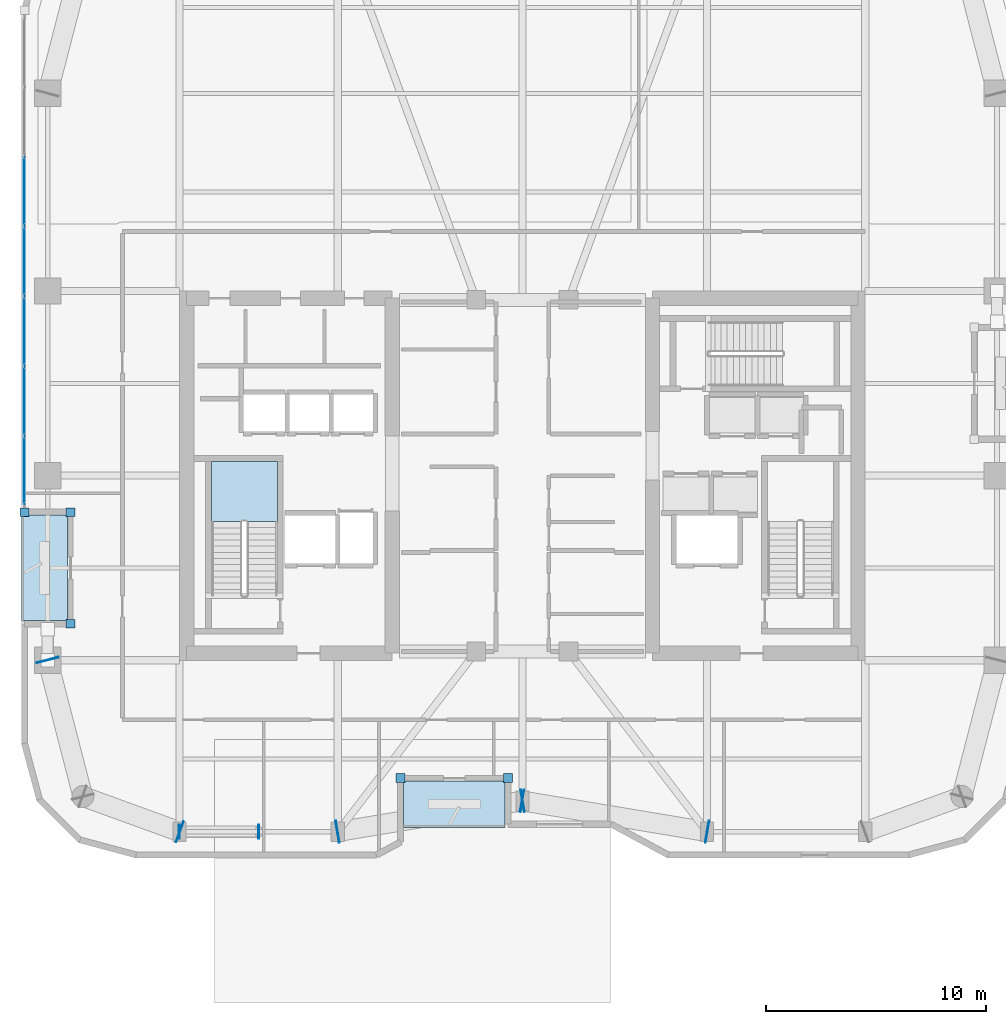
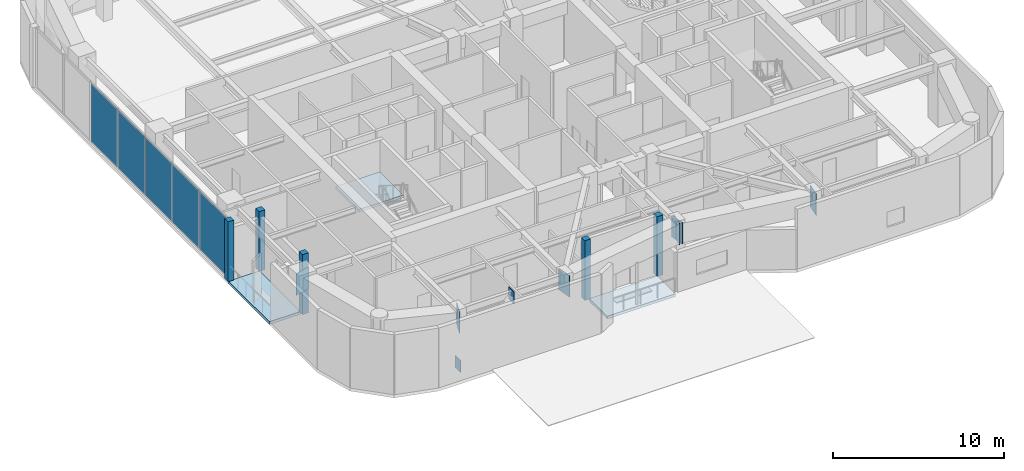
# One storey, part 8 of 18: 18 plates, 3 slabs, 2 elements without a shape of their own.
"""IFC4 building model written with IfcOpenShell, lengths in metres."""

import ifcopenshell
import ifcopenshell.guid

model = None  # the IFC model being written
_history = None  # IfcOwnerHistory: only IFC2X3 demands one
_inside = {}  # id of a spatial element -> (the spatial element, [elements in it])
_under = {}  # id of a project, library or spatial element -> (it, [spatial elements below it])
_declared = {}  # id of a project -> (the project, [libraries it declares])
_typed = {}  # id of a type object -> (the type object, [elements of that type])
_made_of = {}  # id of a material, layer set ... -> (it, [elements and type objects made of it])


def new_model(schema):
    """Start an empty IFC model of exactly this schema.

    Asked for "IFC4X3", IfcOpenShell would pick the latest addendum, in which some entities
    have other attributes; the version numbers below select the first issue.
    IFC2X3 requires an IfcOwnerHistory on every rooted entity: one is made here for all.
    """
    global model, _history
    if schema == "IFC4X3":
        model = ifcopenshell.file(schema_version=(4, 3, 0, 0))
    else:
        model = ifcopenshell.file(schema=schema)
    _inside.clear()
    _under.clear()
    _declared.clear()
    _typed.clear()
    _made_of.clear()
    _history = None
    if model.schema == "IFC2X3":
        org = make("IfcOrganization", Name="unknown")
        user = make(
            "IfcPersonAndOrganization",
            ThePerson=make("IfcPerson", FamilyName="unknown"),
            TheOrganization=org,
        )
        app = make(
            "IfcApplication",
            ApplicationDeveloper=org,
            Version="unknown",
            ApplicationFullName="unknown",
            ApplicationIdentifier="unknown",
        )
        _history = make(
            "IfcOwnerHistory",
            OwningUser=user,
            OwningApplication=app,
            ChangeAction="ADDED",
            CreationDate=0,
        )
    return model


def make(cls, **values):
    """One entity of the class cls with the attributes given. An attribute that is None is left unset."""
    return model.create_entity(
        cls, **{name: value for name, value in values.items() if value is not None}
    )


def rooted(cls, **values):
    """An entity with a GlobalId (a new one), such as an element, a storey or a relation."""
    return make(cls, GlobalId=ifcopenshell.guid.new(), OwnerHistory=_history, **values)


def si_unit(unit_type, name, prefix=None):
    """IfcSIUnit, for example si_unit("LENGTHUNIT", "METRE", prefix="MILLI")."""
    return make("IfcSIUnit", UnitType=unit_type, Prefix=prefix, Name=name)


def assignment(units):
    """IfcUnitAssignment: the units of a project."""
    return None if units is None else make("IfcUnitAssignment", Units=units)


def point(xyz):
    """IfcCartesianPoint."""
    return None if xyz is None else make("IfcCartesianPoint", Coordinates=xyz)


def direction(xyz):
    """IfcDirection."""
    return None if xyz is None else make("IfcDirection", DirectionRatios=xyz)


def frame(location, z_axis=None, x_axis=None):
    """IfcAxis2Placement3D, a coordinate frame: its origin and axes. An axis left out is left unset."""
    return make(
        "IfcAxis2Placement3D",
        Location=point(location),
        Axis=direction(z_axis),
        RefDirection=direction(x_axis),
    )


def frame_2d(location, x_axis=None):
    """IfcAxis2Placement2D, a coordinate frame in the plane: its origin and x axis."""
    return make(
        "IfcAxis2Placement2D", Location=point(location), RefDirection=direction(x_axis)
    )


def origin():
    """The frame at (0, 0, 0) with its axes left unset."""
    return frame((0.0, 0.0, 0.0))


def origin_2d():
    """The frame at (0, 0) in the plane with its x axis left unset."""
    return frame_2d((0.0, 0.0))


def place(relative_to, where):
    """IfcLocalPlacement: puts the frame where relative to a parent placement (None: the world)."""
    return make(
        "IfcLocalPlacement", PlacementRelTo=relative_to, RelativePlacement=where
    )


def context(
    kind, dimensions, precision=None, world=None, true_north=None, identifier=None
):
    """IfcGeometricRepresentationContext, for example the 3D "Model" context."""
    return make(
        "IfcGeometricRepresentationContext",
        ContextIdentifier=identifier,
        ContextType=kind,
        CoordinateSpaceDimension=dimensions,
        Precision=precision,
        WorldCoordinateSystem=world,
        TrueNorth=true_north,
    )


def subcontext(parent, identifier, kind, view, scale=None):
    """IfcGeometricRepresentationSubContext, for example "Body" below "Model"."""
    return make(
        "IfcGeometricRepresentationSubContext",
        ContextIdentifier=identifier,
        ContextType=kind,
        ParentContext=parent,
        TargetScale=scale,
        TargetView=view,
    )


def project(units=None, contexts=None):
    """IfcProject with its units and contexts."""
    return rooted(
        "IfcProject",
        Name="project",
        RepresentationContexts=contexts,
        UnitsInContext=assignment(units),
    )


def spatial(cls, under=None, at=None, **own):
    """A site, building, storey or space (cls), placed at a placement, below another one or the project."""
    s = rooted(cls, ObjectPlacement=at, **own)
    if under is not None:
        _under.setdefault(under.id(), (under, []))[1].append(s)
    return s


def polyline(points):
    """IfcPolyline through the points."""
    return make("IfcPolyline", Points=[point(p) for p in points])


def profile(cls, at=None, kind="AREA", **sizes):
    """A parametric profile (cls). Its sizes go by their IFC names, for example OverallWidth=200.0."""
    return make(cls, ProfileType=kind, Position=at, **sizes)


def rectangle(**sizes):
    """IfcRectangleProfileDef."""
    return profile("IfcRectangleProfileDef", **sizes)


def outline(outer, holes=None, kind="AREA"):
    """IfcArbitraryClosedProfileDef: a profile drawn as a closed curve; with holes, ...WithVoids."""
    if holes is None:
        return make("IfcArbitraryClosedProfileDef", ProfileType=kind, OuterCurve=outer)
    return make(
        "IfcArbitraryProfileDefWithVoids",
        ProfileType=kind,
        OuterCurve=outer,
        InnerCurves=holes,
    )


def extrude(swept, where, along, depth):
    """IfcExtrudedAreaSolid: the profile swept, set in the frame where, extruded along a direction by depth."""
    return make(
        "IfcExtrudedAreaSolid",
        SweptArea=swept,
        Position=where,
        ExtrudedDirection=direction(along),
        Depth=depth,
    )


def shape(context_of_items, identifier, shape_type, items):
    """IfcShapeRepresentation: the items that make up one representation, for example the "Body"."""
    return make(
        "IfcShapeRepresentation",
        ContextOfItems=context_of_items,
        RepresentationIdentifier=identifier,
        RepresentationType=shape_type,
        Items=items,
    )


def material(Name=None, Category=None):
    """IfcMaterial."""
    return make("IfcMaterial", Name=Name, Category=Category)


def layer(
    of_material, thickness, ventilated=None, Name=None, Category=None, Priority=None
):
    """IfcMaterialLayer: one layer of a wall or slab, of a material (None: an air gap)."""
    return make(
        "IfcMaterialLayer",
        Material=of_material,
        LayerThickness=thickness,
        IsVentilated=ventilated,
        Name=Name,
        Category=Category,
        Priority=Priority,
    )


def layer_set(layers, Name=None):
    """IfcMaterialLayerSet."""
    return make("IfcMaterialLayerSet", MaterialLayers=layers, LayerSetName=Name)


def made_of(thing, what):
    """Note that an element or type object is made of a material, layer set ...; save() writes the relation."""
    if what is not None:
        _made_of.setdefault(what.id(), (what, []))[1].append(thing)
    return thing


def type_object(cls, material=None, **own):
    """A type object (cls), such as IfcWallType, which elements share."""
    return made_of(rooted(cls, **own), material)


def element(
    cls,
    number,
    at=None,
    inside=None,
    cuts=None,
    type_object=None,
    material=None,
    context=None,
    identifier="Body",
    shape_type=None,
    held_by="IfcProductDefinitionShape",
    body=None,
    shapes=None,
    **own,
):
    """One element of the class cls, such as IfcWall. Its Tag is "e" and its number.

    at: its placement. inside: the storey or other place that contains it. cuts: it is an
    opening in that element (IfcRelVoidsElement). A single representation is given by context,
    identifier, shape_type and body (its items); several are given by shapes. held_by: the class
    of the entity that holds the representations. save() writes the other relations.
    """
    e = rooted(cls, Tag="e%d" % number, ObjectPlacement=at, **own)
    if body is not None:
        shapes = [shape(context, identifier, shape_type, body)]
    if shapes is not None:
        e.Representation = make(held_by, Representations=shapes)
    if inside is not None:
        _inside.setdefault(inside.id(), (inside, []))[1].append(e)
    if cuts is not None:
        rooted(
            "IfcRelVoidsElement", RelatingBuildingElement=cuts, RelatedOpeningElement=e
        )
    if type_object is not None:
        _typed.setdefault(type_object.id(), (type_object, []))[1].append(e)
    return made_of(e, material)


def aggregate(whole, parts):
    """IfcRelAggregates: a whole, such as a stair, and the parts it consists of."""
    return rooted("IfcRelAggregates", RelatingObject=whole, RelatedObjects=parts)


def save(model, path):
    """Write the relations noted so far, then the file.

    IfcRelAggregates (storeys below a building ...), IfcRelContainedInSpatialStructure (elements
    in a storey), IfcRelDefinesByType, IfcRelAssociatesMaterial and IfcRelDeclares: one each for
    every whole, place, type object, material and project.
    """
    for whole, parts in _under.values():
        aggregate(whole, parts)
    for where, things in _inside.values():
        rooted(
            "IfcRelContainedInSpatialStructure",
            RelatedElements=things,
            RelatingStructure=where,
        )
    for kind, things in _typed.values():
        rooted("IfcRelDefinesByType", RelatedObjects=things, RelatingType=kind)
    for what, things in _made_of.values():
        rooted("IfcRelAssociatesMaterial", RelatedObjects=things, RelatingMaterial=what)
    for by, libraries in _declared.values():
        rooted("IfcRelDeclares", RelatingContext=by, RelatedDefinitions=libraries)
    model.write(path)


model = new_model("IFC4")

# Units and contexts
model_context = context("Model", 3, precision=1e-05, world=origin(), true_north=direction((0.0, 1.0)))
body_context = subcontext(model_context, "Body", "Model", "MODEL_VIEW")
ifc_project = project(units=[si_unit("LENGTHUNIT", "METRE"), si_unit("AREAUNIT", "SQUARE_METRE"), si_unit("VOLUMEUNIT", "CUBIC_METRE"), si_unit("PLANEANGLEUNIT", "RADIAN"), si_unit("MASSUNIT", "GRAM", prefix="KILO")], contexts=[model_context])

# Site, building, storey
site_placement = place(None, origin())
site = spatial("IfcSite", under=ifc_project, at=site_placement, CompositionType="ELEMENT")
building_placement = place(site_placement, origin())
building = spatial("IfcBuilding", under=site, at=building_placement, Name="Kiyonajd Concourse Tower", CompositionType="ELEMENT")
storey_placement = place(building_placement, frame((0.0, 0.0, 214.800048828125)))
storey = spatial("IfcBuildingStorey", under=building, at=storey_placement, Name="L54", CompositionType="ELEMENT", Elevation=214.800048828125)

# Plates
ifc_material_1 = material(Name="Steel ASTM A572 Grade 50", Category="steel")
ifc_layer_1 = layer(ifc_material_1, 0.028076171875)
ifc_layer_set_1 = layer_set([ifc_layer_1], Name="Steel ASTM A572 Grade 50")
plate_type_1 = type_object("IfcPlateType", Name="PL-CAP-450", PredefinedType="USERDEFINED", material=ifc_layer_set_1)
for number, where, z_axis, x_axis, name in (
    (1, (32.392333984375, 19.800048828125, -0.13818359375), (0.0, 0.0, 1.0), (-1.0, 0.0, 0.0), "L54 Hollow Brace End Cap Plate PBS"),
    (2, (36.0078125, 19.800048828125, 3.50732421875), (0.0, 0.0, 1.0), (1.0, 0.0, 0.0), "L54 Hollow Brace Top Cap Plate PBS"),
):
    element("IfcPlate", number, at=place(storey_placement, frame(where, z_axis=z_axis, x_axis=x_axis)), inside=storey, type_object=plate_type_1, Name=name, ObjectType="CAP PLATE", PredefinedType="USERDEFINED", context=body_context, shape_type="SweptSolid", body=[
        extrude(rectangle(XDim=0.035888671875, YDim=0.6279296875, at=origin_2d()), origin(), (0.0, 0.0, 1.0), 0.861083984375),
    ])
ifc_layer_2 = layer(ifc_material_1, 0.031982421875)
ifc_layer_set_2 = layer_set([ifc_layer_2], Name="Steel ASTM A572 Grade 50")
plate_type_2 = type_object("IfcPlateType", Name="PL-CAP-540", PredefinedType="USERDEFINED", material=ifc_layer_set_2)
for number, where, z_axis, x_axis, name in (
    (3, (26.397216796875, 27.610595703125, 2.809814453125), (0.0, 0.0, 1.0), (-0.249873048837, 0.968278606324, 0.0), "L54 Welded Box Girder End Cap"),
    (4, (32.410400390625, 19.796142578125, 2.809814453125), (0.0, 0.0, 1.0), (0.939811951086, -0.341692107891, 0.0), "L54 Welded Box Girder End Cap"),
    (5, (39.589111328125, 19.798095703125, 2.809814453125), (0.0, 0.0, 1.0), (-0.986400586142, -0.164359008451, 0.0), "L54 Welded Box Girder End Cap"),
    (6, (48.010986328125, 21.201904296875, 2.809814453125), (0.0, 0.0, 1.0), (0.986400586142, 0.164359008451, 0.0), "L54 Welded Box Girder End Cap"),
    (7, (47.989013671875, 21.201904296875, 2.809814453125), (0.0, 0.0, 1.0), (-0.986400586142, 0.164359008451, 0.0), "L54 Welded Box Girder End Cap"),
    (8, (56.410888671875, 19.798095703125, 2.809814453125), (0.0, 0.0, 1.0), (0.986400586142, -0.164359008451, 0.0), "L54 Welded Box Girder End Cap"),
):
    element("IfcPlate", number, at=place(storey_placement, frame(where, z_axis=z_axis, x_axis=x_axis)), inside=storey, type_object=plate_type_2, Name=name, ObjectType="CAP PLATE", PredefinedType="USERDEFINED", context=body_context, shape_type="SweptSolid", body=[
        extrude(rectangle(XDim=0.035888671875, YDim=1.02001953125, at=origin_2d()), origin(), (0.0, 0.0, 1.0), 1.5400390625),
    ])

# Curtain wall, plates
ifc_material_2 = material(Name="Thermally Broken Anodised Aluminium", Category="aluminium")
ifc_layer_3 = layer(ifc_material_2, 0.179931640625)
ifc_layer_set_3 = layer_set([ifc_layer_3], Name="Thermally Broken Anodised Aluminium")
curtain_wall_type = type_object("IfcCurtainWallType", Name="CW-SYS-05", PredefinedType="NOTDEFINED", material=ifc_layer_set_3)
curtain_wall_placement = place(storey_placement, origin())
curtain_wall = element("IfcCurtainWall", 9, at=curtain_wall_placement, inside=storey, type_object=curtain_wall_type, Name="L54 Unitised Curtain Wall CW5", PredefinedType="NOTDEFINED")
ifc_material_3 = material(Name="Double Low-E Insulated Glass", Category="glass")
ifc_layer_4 = layer(ifc_material_3, 0.0400390625)
ifc_layer_set_4 = layer_set([ifc_layer_4], Name="Double Low-E Insulated Glass")
plate_type_3 = type_object("IfcPlateType", Name="PL-CW-VIS40", PredefinedType="CURTAIN_PANEL", material=ifc_layer_set_4)
plate_1_placement = place(storey_placement, frame((25.340087890625, 36.23876953125, 0.074951171875), z_axis=(0.0, 0.0, 1.0), x_axis=(0.0, 1.0, 0.0)))
plate_1 = element("IfcPlate", 10, at=plate_1_placement, type_object=plate_type_3, Name="CW5 panel 1.1", PredefinedType="CURTAIN_PANEL", context=body_context, shape_type="SweptSolid", body=[
    extrude(rectangle(XDim=3.067626953125, YDim=0.0400390625, at=origin_2d()), origin(), (0.0, 0.0, 1.0), 4.1298828125),
])
plate_2_placement = place(storey_placement, frame((25.340087890625, 39.400390625, 0.074951171875), z_axis=(0.0, 0.0, 1.0), x_axis=(0.0, 1.0, 0.0)))
plate_2 = element("IfcPlate", 11, at=plate_2_placement, type_object=plate_type_3, Name="CW5 panel 2.1", PredefinedType="CURTAIN_PANEL", context=body_context, shape_type="SweptSolid", body=[
    extrude(rectangle(XDim=3.105224609375, YDim=0.0400390625, at=origin_2d()), origin(), (0.0, 0.0, 1.0), 4.1298828125),
])
plate_3_placement = place(storey_placement, frame((25.340087890625, 42.58056640625, 0.074951171875), z_axis=(0.0, 0.0, 1.0), x_axis=(0.0, 1.0, 0.0)))
plate_3 = element("IfcPlate", 12, at=plate_3_placement, type_object=plate_type_3, Name="CW5 panel 3.1", PredefinedType="CURTAIN_PANEL", context=body_context, shape_type="SweptSolid", body=[
    extrude(rectangle(XDim=3.105224609375, YDim=0.0400390625, at=origin_2d()), origin(), (0.0, 0.0, 1.0), 4.1298828125),
])
plate_4_placement = place(storey_placement, frame((25.340087890625, 45.7607421875, 0.074951171875), z_axis=(0.0, 0.0, 1.0), x_axis=(0.0, 1.0, 0.0)))
plate_4 = element("IfcPlate", 13, at=plate_4_placement, type_object=plate_type_3, Name="CW5 panel 4.1", PredefinedType="CURTAIN_PANEL", context=body_context, shape_type="SweptSolid", body=[
    extrude(rectangle(XDim=3.105224609375, YDim=0.0400390625, at=origin_2d()), origin(), (0.0, 0.0, 1.0), 4.1298828125),
])
plate_5_placement = place(storey_placement, frame((25.340087890625, 48.94091796875, 0.074951171875), z_axis=(0.0, 0.0, 1.0), x_axis=(0.0, 1.0, 0.0)))
plate_5 = element("IfcPlate", 14, at=plate_5_placement, type_object=plate_type_3, Name="CW5 panel 5.1", PredefinedType="CURTAIN_PANEL", context=body_context, shape_type="SweptSolid", body=[
    extrude(rectangle(XDim=3.105224609375, YDim=0.0400390625, at=origin_2d()), origin(), (0.0, 0.0, 1.0), 4.1298828125),
])
aggregate(curtain_wall, [plate_1, plate_2, plate_3, plate_4, plate_5])

# Plates
ifc_layer_5 = layer(ifc_material_2, 0.39990234375)
ifc_layer_set_5 = layer_set([ifc_layer_5], Name="Thermally Broken Anodised Aluminium")
plate_type_4 = type_object("IfcPlateType", Name="PL-JMB-400", PredefinedType="USERDEFINED", material=ifc_layer_set_5)
for number, where, z_axis, x_axis, name in (
    (15, (27.43994140625, 29.260009765625, 0.0), (0.0, 0.0, 1.0), (1.0, 0.0, 0.0), "L54 Facade Jamb Closure Plate 01"),
    (16, (27.43994140625, 34.340087890625, 0.0), (0.0, 0.0, 1.0), (1.0, 0.0, 0.0), "L54 Facade Jamb Closure Plate 02"),
    (17, (25.340087890625, 34.340087890625, 0.0), (0.0, 0.0, 1.0), (1.0, 0.0, 0.0), "L54 Facade Jamb Closure Plate 03"),
    (18, (47.340087890625, 22.239990234375, 0.0), (0.0, 0.0, 1.0), (1.0, 0.0, 0.0), "L54 Facade Jamb Closure Plate 11"),
    (19, (42.4599609375, 22.239990234375, 0.0), (0.0, 0.0, 1.0), (1.0, 0.0, 0.0), "L54 Facade Jamb Closure Plate 12"),
):
    element("IfcPlate", number, at=place(storey_placement, frame(where, z_axis=z_axis, x_axis=x_axis)), inside=storey, type_object=plate_type_4, Name=name, ObjectType="JAMB PLATE", PredefinedType="USERDEFINED", context=body_context, shape_type="SweptSolid", body=[
        extrude(rectangle(XDim=0.39990234375, YDim=0.39990234375, at=origin_2d()), origin(), (0.0, 0.0, 1.0), 4.280029296875),
    ])

# Stair, slab
ifc_material_4 = material(Name="Concrete C40/50", Category="concrete")
stair_type = type_object("IfcStairType", Name="ST-DLG-26R", PredefinedType="HALF_TURN_STAIR", material=ifc_material_4)
stair_placement = place(storey_placement, origin())
stair = element("IfcStair", 20, at=stair_placement, inside=storey, type_object=stair_type, Name="L54 Protected Exit Stair ST1", PredefinedType="HALF_TURN_STAIR")
ifc_layer_6 = layer(ifc_material_4, 0.199951171875)
ifc_layer_set_6 = layer_set([ifc_layer_6], Name="Concrete C40/50")
slab_type_1 = type_object("IfcSlabType", Name="SL-LND-200", PredefinedType="LANDING", material=ifc_layer_set_6)
slab_1_placement = place(storey_placement, frame((0.0, 0.0, 2.050048828125)))
slab_1 = element("IfcSlab", 21, at=slab_1_placement, type_object=slab_type_1, Name="ST1 landing 1", PredefinedType="LANDING", context=body_context, shape_type="SweptSolid", body=[
    extrude(outline(polyline([(36.85009765625, 33.909912109375), (36.85009765625, 36.64990234375), (33.85009765625, 36.64990234375), (33.85009765625, 33.909912109375), (36.85009765625, 33.909912109375)])), origin(), (0.0, 0.0, 1.0), 0.199951171875),
])
aggregate(stair, [slab_1])

# Slabs
ifc_material_5 = material(Name="Precast concrete C50/60", Category="concrete")
ifc_layer_7 = layer(ifc_material_5, 0.199951171875)
ifc_layer_set_7 = layer_set([ifc_layer_7], Name="Precast concrete C50/60")
slab_type_2 = type_object("IfcSlabType", Name="SL-LOG-200", PredefinedType="FLOOR", material=ifc_layer_set_7)
slab_2_placement = place(storey_placement, frame((0.0, 0.0, -0.199951171875)))
element("IfcSlab", 22, at=slab_2_placement, inside=storey, type_object=slab_type_2, Name="L54 Recessed Engawa Loggia Terrace Slab LOG-S", PredefinedType="FLOOR", context=body_context, shape_type="SweptSolid", body=[
    extrude(outline(polyline([(42.60009765625, 20.0), (47.199951171875, 20.0), (47.199951171875, 22.10009765625), (42.60009765625, 22.10009765625), (42.60009765625, 20.0)])), origin(), (0.0, 0.0, 1.0), 0.199951171875),
])
slab_3_placement = place(storey_placement, frame((0.0, 0.0, -0.199951171875)))
element("IfcSlab", 23, at=slab_3_placement, inside=storey, type_object=slab_type_2, Name="L54 Recessed Engawa Loggia Terrace Slab LOG-W", PredefinedType="FLOOR", context=body_context, shape_type="SweptSolid", body=[
    extrude(outline(polyline([(25.199951171875, 29.39990234375), (27.300048828125, 29.39990234375), (27.300048828125, 34.199951171875), (25.199951171875, 34.199951171875), (25.199951171875, 29.39990234375)])), origin(), (0.0, 0.0, 1.0), 0.199951171875),
])

save(model, "model.ifc")
